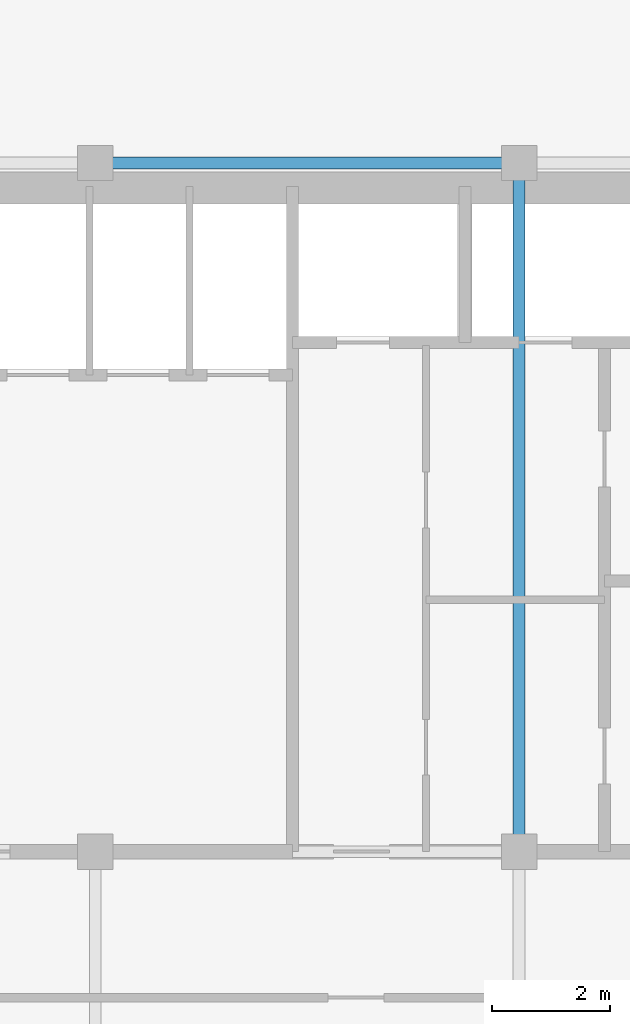
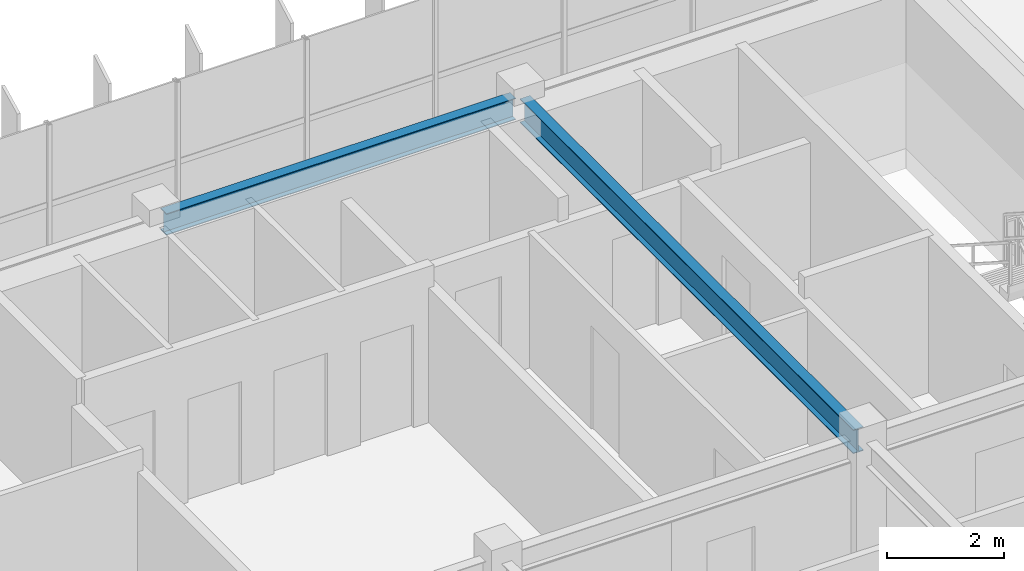
# One storey, part 14 of 28: 2 beams.
"""IFC4 building model written with IfcOpenShell, lengths in metres."""

from ifc_helpers import new_model, si_unit, direction, frame, origin, origin_2d, place, context, subcontext, project, spatial, i_section, extrude, source, transform, mapped, material, material_profile, profile_set, type_object, element, save


model = new_model("IFC4")

# Units and contexts
model_context = context("Model", 3, precision=1e-05, world=origin(), true_north=direction((0.0, 1.0)))
body_context = subcontext(model_context, "Body", "Model", "MODEL_VIEW")
ifc_project = project(units=[si_unit("LENGTHUNIT", "METRE"), si_unit("AREAUNIT", "SQUARE_METRE"), si_unit("VOLUMEUNIT", "CUBIC_METRE"), si_unit("PLANEANGLEUNIT", "RADIAN"), si_unit("MASSUNIT", "GRAM", prefix="KILO")], contexts=[model_context])

# Site, building, storey
site_placement = place(None, origin())
site = spatial("IfcSite", under=ifc_project, at=site_placement, CompositionType="ELEMENT")
building_placement = place(site_placement, origin())
building = spatial("IfcBuilding", under=site, at=building_placement, Name="Trelvane Seafront Commons", CompositionType="ELEMENT")
storey_placement = place(building_placement, frame((0.0, 0.0, 295.5)))
storey = spatial("IfcBuildingStorey", under=building, at=storey_placement, Name="L77", CompositionType="ELEMENT", Elevation=295.5)

# Beams
ifc_material = material(Name="Steel SM355 (S355)", Category="steel")
ifc_material_profile_1 = material_profile(ifc_material, i_section(OverallWidth=0.199951171875, OverallDepth=0.5, WebThickness=0.010009765625, FlangeThickness=0.01611328125, at=origin_2d()), Name="H-500x200x10x16")
ifc_profile_set_1 = profile_set([ifc_material_profile_1], Name="Steel SM355 (S355)")
beam_type_1 = type_object("IfcBeamType", Name="STR-BM-H500", PredefinedType="BEAM", material=ifc_profile_set_1)
shared_shape_1 = source(origin(), body_context, "Body", "SweptSolid", [
    extrude(i_section(OverallWidth=0.199951171875, OverallDepth=0.5, WebThickness=0.010009765625, FlangeThickness=0.01611328125, at=origin_2d()), origin(), (0.0, 0.0, 1.0), 11.39990234375),
])
beam_1_placement = place(storey_placement, frame((51.0, 33.550048828125, 3.010009765625), z_axis=(0.0, 1.0, 0.0), x_axis=(-1.0, 0.0, 0.0)))
element("IfcBeam", 1, at=beam_1_placement, inside=storey, type_object=beam_type_1, Name="L77 Primary Girder G-46", PredefinedType="BEAM", context=body_context, shape_type="MappedRepresentation", body=[
    mapped(shared_shape_1, transform((0.0, 0.0, 0.0), x_axis=(1.0, 0.0, 0.0), y_axis=(0.0, 1.0, 0.0), z_axis=(0.0, 0.0, 1.0), scale=1.0)),
])
ifc_material_profile_2 = material_profile(ifc_material, i_section(OverallWidth=0.199951171875, OverallDepth=0.449951171875, WebThickness=0.009033203125, FlangeThickness=0.013916015625, at=origin_2d()), Name="H-450x200x9x14")
ifc_profile_set_2 = profile_set([ifc_material_profile_2], Name="Steel SM355 (S355)")
beam_type_2 = type_object("IfcBeamType", Name="STR-SPD-H450", PredefinedType="SPANDREL", material=ifc_profile_set_2)
shared_shape_2 = source(origin(), body_context, "Body", "SweptSolid", [
    extrude(i_section(OverallWidth=0.199951171875, OverallDepth=0.449951171875, WebThickness=0.009033203125, FlangeThickness=0.013916015625, at=origin_2d()), origin(), (0.0, 0.0, 1.0), 6.900146484375),
])
beam_2_placement = place(storey_placement, frame((43.949951171875, 45.10009765625, 3.034912109375), z_axis=(1.0, 0.0, 0.0), x_axis=(0.0, 1.0, 0.0)))
element("IfcBeam", 2, at=beam_2_placement, inside=storey, type_object=beam_type_2, Name="L77 Primary Girder G-26", PredefinedType="SPANDREL", context=body_context, shape_type="MappedRepresentation", body=[
    mapped(shared_shape_2, transform((0.0, 0.0, 0.0), x_axis=(1.0, 0.0, 0.0), y_axis=(0.0, 1.0, 0.0), z_axis=(0.0, 0.0, 1.0), scale=1.0)),
])

save(model, "model.ifc")
